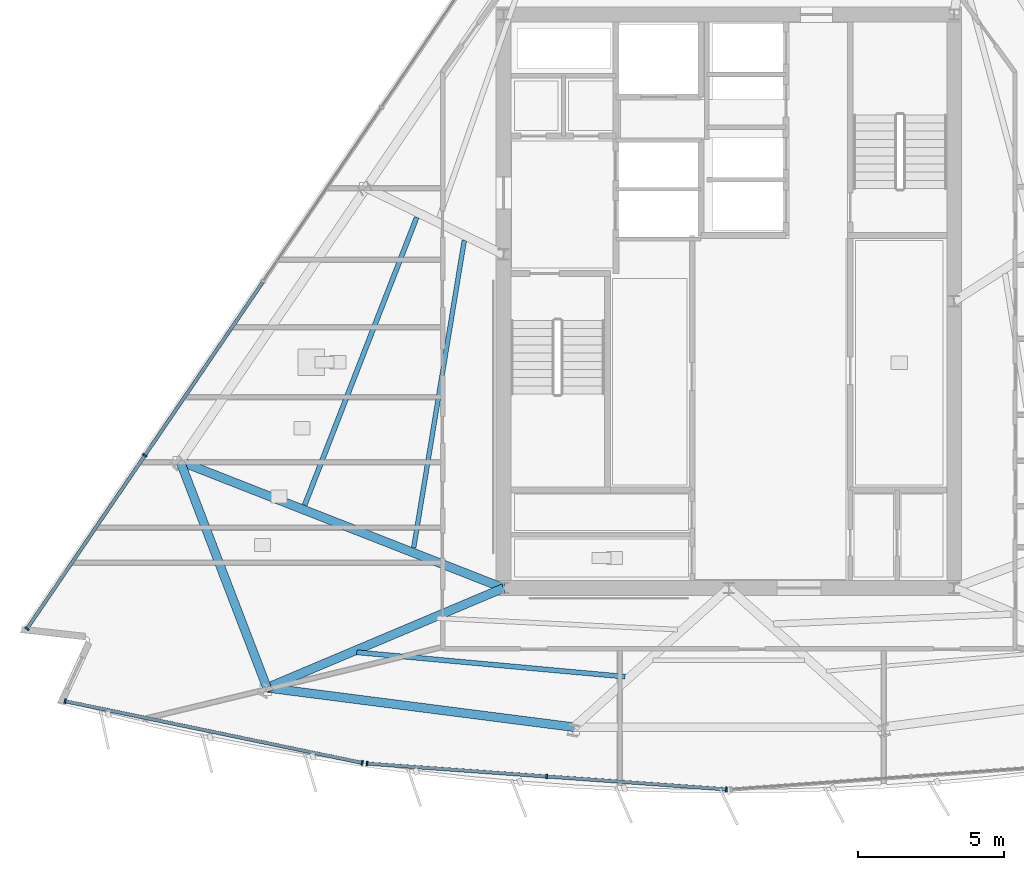
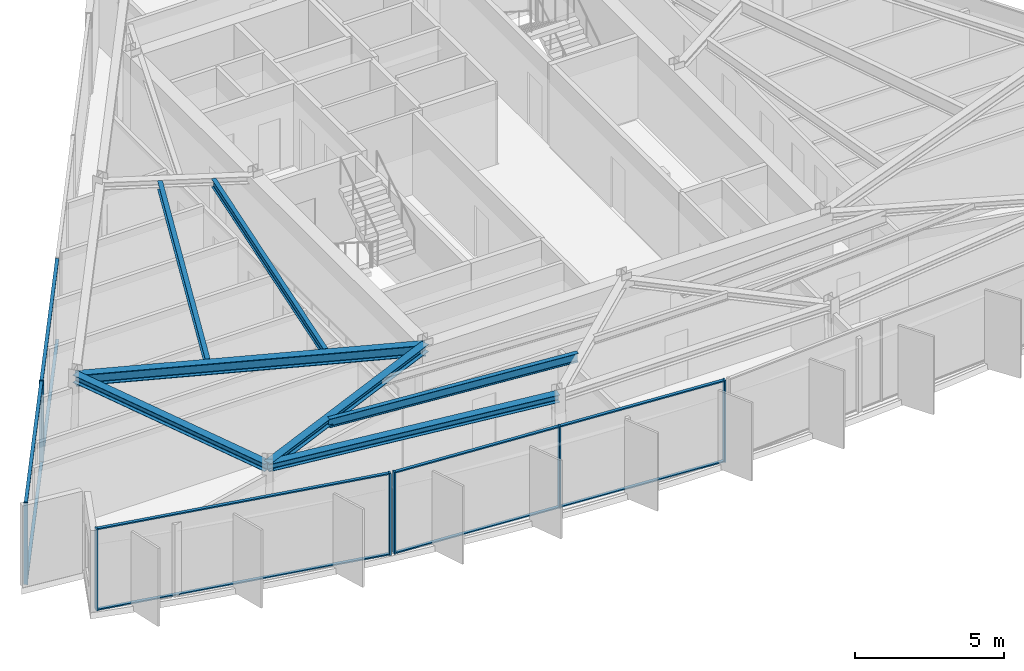
# One storey, part 2 of 13: 17 members, 7 beams, 3 elements without a shape of their own.
"""IFC4 building model written with IfcOpenShell, lengths in metres."""

from ifc_helpers import new_model, si_unit, direction, frame, origin, origin_2d, place, context, subcontext, project, spatial, rectangle, i_section, extrude, material, material_profile, profile_set, type_object, element, aggregate, save


model = new_model("IFC4")

# Units and contexts
model_context = context("Model", 3, precision=1e-05, world=origin(), true_north=direction((0.0, 1.0)))
body_context = subcontext(model_context, "Body", "Model", "MODEL_VIEW")
ifc_project = project(units=[si_unit("LENGTHUNIT", "METRE"), si_unit("AREAUNIT", "SQUARE_METRE"), si_unit("VOLUMEUNIT", "CUBIC_METRE"), si_unit("PLANEANGLEUNIT", "RADIAN"), si_unit("MASSUNIT", "GRAM", prefix="KILO")], contexts=[model_context])

# Site, building, storey
site_placement = place(None, origin())
site = spatial("IfcSite", under=ifc_project, at=site_placement, CompositionType="ELEMENT")
building_placement = place(site_placement, origin())
building = spatial("IfcBuilding", under=site, at=building_placement, Name="Savorim Split Tower", CompositionType="ELEMENT")
storey_placement = place(building_placement, frame((0.0, 0.0, 254.39990234375)))
storey = spatial("IfcBuildingStorey", under=building, at=storey_placement, Name="L67", CompositionType="ELEMENT", Elevation=254.39990234375)

# Beams
ifc_material_1 = material(Name="Steel S355", Category="steel")
ifc_material_profile_1 = material_profile(ifc_material_1, i_section(OverallWidth=0.159912109375, OverallDepth=0.330078125, WebThickness=0.007568359375, FlangeThickness=0.011474609375, FilletRadius=0.01806640625, at=origin_2d()), Name="IPE 330")
ifc_profile_set_1 = profile_set([ifc_material_profile_1], Name="Steel S355")
beam_type_1 = type_object("IfcBeamType", Name="BM-JST-IPE330", PredefinedType="JOIST", material=ifc_profile_set_1)
beam_1_placement = place(storey_placement, frame((-9.03857421875, 2.4814453125, 3.18505859375), z_axis=(-0.162324607602, -0.986737412773, 0.0), x_axis=(0.986737412773, -0.162324607602, 0.0)))
element("IfcBeam", 1, at=beam_1_placement, inside=storey, type_object=beam_type_1, Name="L67 Secondary Floor Joist JS-11", PredefinedType="JOIST", context=body_context, shape_type="SweptSolid", body=[
    extrude(i_section(OverallWidth=0.159912109375, OverallDepth=0.330078125, WebThickness=0.007568359375, FlangeThickness=0.011474609375, FilletRadius=0.01806640625, at=origin_2d()), origin(), (0.0, 0.0, 1.0), 10.651611328125),
])
ifc_material_profile_2 = material_profile(ifc_material_1, i_section(OverallWidth=0.169921875, OverallDepth=0.360107421875, WebThickness=0.008056640625, FlangeThickness=0.0126953125, FilletRadius=0.01806640625, at=origin_2d()), Name="IPE 360")
ifc_profile_set_2 = profile_set([ifc_material_profile_2], Name="Steel S355")
beam_type_2 = type_object("IfcBeamType", Name="BM-JST-IPE360", PredefinedType="JOIST", material=ifc_profile_set_2)
beam_2_placement = place(storey_placement, frame((-12.711669921875, -11.595703125, 3.170166015625), z_axis=(0.995897335781, -0.0904903121, 0.0), x_axis=(0.0904903121, 0.995897335781, 0.0)))
element("IfcBeam", 2, at=beam_2_placement, inside=storey, type_object=beam_type_2, Name="L67 Secondary Floor Joist JS-01", PredefinedType="JOIST", context=body_context, shape_type="SweptSolid", body=[
    extrude(i_section(OverallWidth=0.169921875, OverallDepth=0.360107421875, WebThickness=0.008056640625, FlangeThickness=0.0126953125, FilletRadius=0.01806640625, at=origin_2d()), origin(), (0.0, 0.0, 1.0), 9.20556640625),
])
beam_3_placement = place(storey_placement, frame((-10.664794921875, 3.2666015625, 3.170166015625), z_axis=(-0.362792431019, -0.931869975906, 0.0), x_axis=(0.931869975906, -0.362792431019, 0.0)))
element("IfcBeam", 3, at=beam_3_placement, inside=storey, type_object=beam_type_2, Name="L67 Secondary Floor Joist JS-10", PredefinedType="JOIST", context=body_context, shape_type="SweptSolid", body=[
    extrude(i_section(OverallWidth=0.169921875, OverallDepth=0.360107421875, WebThickness=0.008056640625, FlangeThickness=0.0126953125, FilletRadius=0.01806640625, at=origin_2d()), origin(), (0.0, 0.0, 1.0), 10.5498046875),
])
ifc_material_profile_3 = material_profile(ifc_material_1, i_section(OverallWidth=0.300048828125, OverallDepth=0.300048828125, WebThickness=0.010986328125, FlangeThickness=0.01904296875, FilletRadius=0.027099609375, at=origin_2d()), Name="HEB 300")
ifc_profile_set_3 = profile_set([ifc_material_profile_3], Name="Steel S355")
beam_type_3 = type_object("IfcBeamType", Name="BM-PRI-HEB300", PredefinedType="BEAM", material=ifc_profile_set_3)
beam_4_placement = place(storey_placement, frame((-15.779541015625, -12.80810546875, 3.2001953125), z_axis=(0.921379428234, 0.388664314321, 0.0), x_axis=(-0.388664314321, 0.921379428234, 0.0)))
element("IfcBeam", 4, at=beam_4_placement, inside=storey, type_object=beam_type_3, Name="L67 Primary Floor Girder RG-01", PredefinedType="BEAM", context=body_context, shape_type="SweptSolid", body=[
    extrude(i_section(OverallWidth=0.300048828125, OverallDepth=0.300048828125, WebThickness=0.010986328125, FlangeThickness=0.01904296875, FilletRadius=0.027099609375, at=origin_2d()), origin(), (0.0, 0.0, 1.0), 8.76904296875),
])
ifc_material_profile_4 = material_profile(ifc_material_1, i_section(OverallWidth=0.300048828125, OverallDepth=0.449951171875, WebThickness=0.013916015625, FlangeThickness=0.02587890625, FilletRadius=0.027099609375, at=origin_2d()), Name="HEB 450")
ifc_profile_set_4 = profile_set([ifc_material_profile_4], Name="Steel S355")
beam_type_4 = type_object("IfcBeamType", Name="BM-PRI-HEB450", PredefinedType="BEAM", material=ifc_profile_set_4)
beam_5_placement = place(storey_placement, frame((-18.7490234375, -5.067138671875, 3.125), z_axis=(0.930979093404, -0.365072496424, 0.0), x_axis=(0.365072496424, 0.930979093404, 0.0)))
element("IfcBeam", 5, at=beam_5_placement, inside=storey, type_object=beam_type_4, Name="L67 Primary Floor Girder RG-10", PredefinedType="BEAM", context=body_context, shape_type="SweptSolid", body=[
    extrude(i_section(OverallWidth=0.300048828125, OverallDepth=0.449951171875, WebThickness=0.013916015625, FlangeThickness=0.02587890625, FilletRadius=0.027099609375, at=origin_2d()), origin(), (0.0, 0.0, 1.0), 11.8681640625),
])
ifc_material_profile_5 = material_profile(ifc_material_1, i_section(OverallWidth=0.300048828125, OverallDepth=0.31005859375, WebThickness=0.009033203125, FlangeThickness=0.015380859375, FilletRadius=0.027099609375, at=origin_2d()), Name="HEA 320")
ifc_profile_set_5 = profile_set([ifc_material_profile_5], Name="Steel S355")
beam_type_5 = type_object("IfcBeamType", Name="BM-SPN-HEA320", PredefinedType="SPANDREL", material=ifc_profile_set_5)
beam_6_placement = place(storey_placement, frame((-15.779541015625, -12.80810546875, 3.195068359375), z_axis=(0.991858656006, -0.127343655144, 0.0), x_axis=(0.127343655144, 0.991858656006, 0.0)))
element("IfcBeam", 6, at=beam_6_placement, inside=storey, type_object=beam_type_5, Name="L67 Perimeter Spandrel Beam 1", PredefinedType="SPANDREL", context=body_context, shape_type="SweptSolid", body=[
    extrude(i_section(OverallWidth=0.300048828125, OverallDepth=0.31005859375, WebThickness=0.009033203125, FlangeThickness=0.015380859375, FilletRadius=0.027099609375, at=origin_2d()), origin(), (0.0, 0.0, 1.0), 10.5771484375),
])
beam_7_placement = place(storey_placement, frame((-18.7490234375, -5.067138671875, 3.195068359375), z_axis=(0.358158080652, -0.933660960555, 0.0), x_axis=(0.933660960555, 0.358158080652, 0.0)))
element("IfcBeam", 7, at=beam_7_placement, inside=storey, type_object=beam_type_5, Name="L67 Perimeter Spandrel Beam 10", PredefinedType="SPANDREL", context=body_context, shape_type="SweptSolid", body=[
    extrude(i_section(OverallWidth=0.300048828125, OverallDepth=0.31005859375, WebThickness=0.009033203125, FlangeThickness=0.015380859375, FilletRadius=0.027099609375, at=origin_2d()), origin(), (0.0, 0.0, 1.0), 8.291015625),
])

# Curtain wall, members
ifc_material_2 = material(Name="Dark Ceramic-Fritted Insulated Glass", Category="glass")
curtain_wall_type = type_object("IfcCurtainWallType", Name="CW-TWR-FRIT-B", PredefinedType="NOTDEFINED", material=ifc_material_2)
curtain_wall_1_placement = place(storey_placement, origin())
curtain_wall_1 = element("IfcCurtainWall", 8, at=curtain_wall_1_placement, inside=storey, type_object=curtain_wall_type, Name="L67 Curtain Wall CW-L67-SF1", PredefinedType="NOTDEFINED")
ifc_material_3 = material(Name="Charcoal Anodised Aluminium", Category="aluminium")
ifc_material_profile_6 = material_profile(ifc_material_3, rectangle(XDim=0.159912109375, YDim=0.06005859375, at=origin_2d()), Name="ALU-M 160x60")
ifc_profile_set_6 = profile_set([ifc_material_profile_6], Name="Charcoal Anodised Aluminium")
member_type_1 = type_object("IfcMemberType", Name="CWM-160x60", PredefinedType="MULLION", material=ifc_profile_set_6)
member_1_placement = place(storey_placement, frame((-22.677978515625, -13.26611328125, 0.0), z_axis=(0.0, 0.0, 1.0), x_axis=(0.20320761208, 0.979135673129, 0.0)))
member_1 = element("IfcMember", 9, at=member_1_placement, type_object=member_type_1, Name="CW-03 mullion 1", PredefinedType="MULLION", context=body_context, shape_type="SweptSolid", body=[
    extrude(rectangle(XDim=0.159912109375, YDim=0.06005859375, at=origin_2d()), origin(), (0.0, 0.0, 1.0), 3.35009765625),
])
member_2_placement = place(storey_placement, frame((-12.524169921875, -15.373291015625, 0.0), z_axis=(0.0, 0.0, 1.0), x_axis=(0.20320761208, 0.979135673129, 0.0)))
member_2 = element("IfcMember", 10, at=member_2_placement, type_object=member_type_1, Name="CW-03 mullion 2", PredefinedType="MULLION", context=body_context, shape_type="SweptSolid", body=[
    extrude(rectangle(XDim=0.159912109375, YDim=0.06005859375, at=origin_2d()), origin(), (0.0, 0.0, 1.0), 3.35009765625),
])

curtain_wall_2_placement = place(storey_placement, origin())
curtain_wall_2 = element("IfcCurtainWall", 11, at=curtain_wall_2_placement, inside=storey, type_object=curtain_wall_type, Name="L67 Curtain Wall CW-L67-SF2", PredefinedType="NOTDEFINED")
member_3_placement = place(storey_placement, frame((-12.362060546875, -15.39599609375, 0.0), z_axis=(0.0, 0.0, 1.0), x_axis=(0.071562386711, 0.997436125678, 0.0)))
member_3 = element("IfcMember", 12, at=member_3_placement, type_object=member_type_1, Name="CW-03 mullion 1", PredefinedType="MULLION", context=body_context, shape_type="SweptSolid", body=[
    extrude(rectangle(XDim=0.159912109375, YDim=0.06005859375, at=origin_2d()), origin(), (0.0, 0.0, 1.0), 3.35009765625),
])
member_4_placement = place(storey_placement, frame((-6.2216796875, -15.83642578125, 0.0), z_axis=(0.0, 0.0, 1.0), x_axis=(0.071562386711, 0.997436125678, 0.0)))
member_4 = element("IfcMember", 13, at=member_4_placement, type_object=member_type_1, Name="CW-03 mullion 2", PredefinedType="MULLION", context=body_context, shape_type="SweptSolid", body=[
    extrude(rectangle(XDim=0.159912109375, YDim=0.06005859375, at=origin_2d()), origin(), (0.0, 0.0, 1.0), 3.35009765625),
])
member_5_placement = place(storey_placement, frame((-0.081298828125, -16.277099609375, 0.0), z_axis=(0.0, 0.0, 1.0), x_axis=(0.071562386711, 0.997436125678, 0.0)))
member_5 = element("IfcMember", 14, at=member_5_placement, type_object=member_type_1, Name="CW-03 mullion 3", PredefinedType="MULLION", context=body_context, shape_type="SweptSolid", body=[
    extrude(rectangle(XDim=0.159912109375, YDim=0.06005859375, at=origin_2d()), origin(), (0.0, 0.0, 1.0), 3.35009765625),
])

curtain_wall_3_placement = place(storey_placement, origin())
curtain_wall_3 = element("IfcCurtainWall", 15, at=curtain_wall_3_placement, inside=storey, type_object=curtain_wall_type, Name="L67 Curtain Wall CW-L67-WEST", PredefinedType="NOTDEFINED")
member_6_placement = place(storey_placement, frame((-19.951904296875, -4.8671875, 0.0), z_axis=(0.0, 0.0, 1.0), x_axis=(0.826817472755, -0.562470325215, 0.0)))
member_6 = element("IfcMember", 16, at=member_6_placement, type_object=member_type_1, Name="CW-03 mullion 4", PredefinedType="MULLION", context=body_context, shape_type="SweptSolid", body=[
    extrude(rectangle(XDim=0.159912109375, YDim=0.06005859375, at=origin_2d()), origin(), (0.0, 0.0, 1.0), 3.35009765625),
])
member_7_placement = place(storey_placement, frame((-23.97998046875, -10.78857421875, 0.0), z_axis=(0.0, 0.0, 1.0), x_axis=(0.826817472755, -0.562470325215, 0.0)))
member_7 = element("IfcMember", 17, at=member_7_placement, type_object=member_type_1, Name="CW-03 mullion 5", PredefinedType="MULLION", context=body_context, shape_type="SweptSolid", body=[
    extrude(rectangle(XDim=0.159912109375, YDim=0.06005859375, at=origin_2d()), origin(), (0.0, 0.0, 1.0), 3.35009765625),
])

# Member
ifc_material_profile_7 = material_profile(ifc_material_3, rectangle(XDim=0.1201171875, YDim=0.050048828125, at=origin_2d()), Name="ALU-T 120x50")
ifc_profile_set_7 = profile_set([ifc_material_profile_7], Name="Charcoal Anodised Aluminium")
member_type_2 = type_object("IfcMemberType", Name="CWT-120x50", PredefinedType="USERDEFINED", material=ifc_profile_set_7)
member_8_placement = place(storey_placement, frame((-22.648681640625, -13.272216796875, 0.025146484375), z_axis=(0.97913890437, -0.203192042041, 0.0), x_axis=(0.203192042041, 0.97913890437, 0.0)))
member_8 = element("IfcMember", 18, at=member_8_placement, type_object=member_type_2, Name="CW-03 transom 1.1", ObjectType="TRANSOM", PredefinedType="USERDEFINED", context=body_context, shape_type="SweptSolid", body=[
    extrude(rectangle(XDim=0.1201171875, YDim=0.050048828125, at=origin_2d()), origin(), (0.0, 0.0, 1.0), 10.310302734375),
])

member_9_placement = place(storey_placement, frame((-22.648681640625, -13.272216796875, 3.3251953125), z_axis=(0.97913890437, -0.203192042041, 0.0), x_axis=(0.203192042041, 0.97913890437, 0.0)))
member_9 = element("IfcMember", 19, at=member_9_placement, type_object=member_type_2, Name="CW-03 transom 1.2", ObjectType="TRANSOM", PredefinedType="USERDEFINED", context=body_context, shape_type="SweptSolid", body=[
    extrude(rectangle(XDim=0.1201171875, YDim=0.050048828125, at=origin_2d()), origin(), (0.0, 0.0, 1.0), 10.310302734375),
])

aggregate(curtain_wall_1, [member_1, member_2, member_8, member_9])

member_10_placement = place(storey_placement, frame((-12.332275390625, -15.398193359375, 0.025146484375), z_axis=(0.997436085583, -0.071562945555, 0.0), x_axis=(0.071562945555, 0.997436085583, 0.0)))
member_10 = element("IfcMember", 20, at=member_10_placement, type_object=member_type_2, Name="CW-03 transom 1.1", ObjectType="TRANSOM", PredefinedType="USERDEFINED", context=body_context, shape_type="SweptSolid", body=[
    extrude(rectangle(XDim=0.1201171875, YDim=0.050048828125, at=origin_2d()), origin(), (0.0, 0.0, 1.0), 6.096435546875),
])

member_11_placement = place(storey_placement, frame((-12.332275390625, -15.398193359375, 3.3251953125), z_axis=(0.997436085583, -0.071562945555, 0.0), x_axis=(0.071562945555, 0.997436085583, 0.0)))
member_11 = element("IfcMember", 21, at=member_11_placement, type_object=member_type_2, Name="CW-03 transom 1.2", ObjectType="TRANSOM", PredefinedType="USERDEFINED", context=body_context, shape_type="SweptSolid", body=[
    extrude(rectangle(XDim=0.1201171875, YDim=0.050048828125, at=origin_2d()), origin(), (0.0, 0.0, 1.0), 6.096435546875),
])

member_12_placement = place(storey_placement, frame((-6.191650390625, -15.838623046875, 0.025146484375), z_axis=(0.997435880483, -0.071565804161, 0.0), x_axis=(0.071565804161, 0.997435880483, 0.0)))
member_12 = element("IfcMember", 22, at=member_12_placement, type_object=member_type_2, Name="CW-03 transom 2.1", ObjectType="TRANSOM", PredefinedType="USERDEFINED", context=body_context, shape_type="SweptSolid", body=[
    extrude(rectangle(XDim=0.1201171875, YDim=0.050048828125, at=origin_2d()), origin(), (0.0, 0.0, 1.0), 6.09619140625),
])

member_13_placement = place(storey_placement, frame((-6.191650390625, -15.838623046875, 3.3251953125), z_axis=(0.997435880483, -0.071565804161, 0.0), x_axis=(0.071565804161, 0.997435880483, 0.0)))
member_13 = element("IfcMember", 23, at=member_13_placement, type_object=member_type_2, Name="CW-03 transom 2.2", ObjectType="TRANSOM", PredefinedType="USERDEFINED", context=body_context, shape_type="SweptSolid", body=[
    extrude(rectangle(XDim=0.1201171875, YDim=0.050048828125, at=origin_2d()), origin(), (0.0, 0.0, 1.0), 6.09619140625),
])

aggregate(curtain_wall_2, [member_3, member_4, member_5, member_10, member_11, member_12, member_13])

member_14_placement = place(storey_placement, frame((-15.923828125, 1.053955078125, 0.025146484375), z_axis=(-0.562465450543, -0.826820788893, 0.0), x_axis=(0.826820788893, -0.562465450543, 0.0)))
member_14 = element("IfcMember", 24, at=member_14_placement, type_object=member_type_2, Name="CW-03 transom 3.1", ObjectType="TRANSOM", PredefinedType="USERDEFINED", context=body_context, shape_type="SweptSolid", body=[
    extrude(rectangle(XDim=0.1201171875, YDim=0.050048828125, at=origin_2d()), origin(), (0.0, 0.0, 1.0), 7.131591796875),
])

member_15_placement = place(storey_placement, frame((-15.923828125, 1.053955078125, 3.3251953125), z_axis=(-0.562465450543, -0.826820788893, 0.0), x_axis=(0.826820788893, -0.562465450543, 0.0)))
member_15 = element("IfcMember", 25, at=member_15_placement, type_object=member_type_2, Name="CW-03 transom 3.2", ObjectType="TRANSOM", PredefinedType="USERDEFINED", context=body_context, shape_type="SweptSolid", body=[
    extrude(rectangle(XDim=0.1201171875, YDim=0.050048828125, at=origin_2d()), origin(), (0.0, 0.0, 1.0), 7.131591796875),
])

member_16_placement = place(storey_placement, frame((-19.96875, -4.89208984375, 0.025146484375), z_axis=(-0.562474570512, -0.826814584733, 0.0), x_axis=(0.826814584733, -0.562474570512, 0.0)))
member_16 = element("IfcMember", 26, at=member_16_placement, type_object=member_type_2, Name="CW-03 transom 4.1", ObjectType="TRANSOM", PredefinedType="USERDEFINED", context=body_context, shape_type="SweptSolid", body=[
    extrude(rectangle(XDim=0.1201171875, YDim=0.050048828125, at=origin_2d()), origin(), (0.0, 0.0, 1.0), 7.1015625),
])

member_17_placement = place(storey_placement, frame((-19.96875, -4.89208984375, 3.3251953125), z_axis=(-0.562474570512, -0.826814584733, 0.0), x_axis=(0.826814584733, -0.562474570512, 0.0)))
member_17 = element("IfcMember", 27, at=member_17_placement, type_object=member_type_2, Name="CW-03 transom 4.2", ObjectType="TRANSOM", PredefinedType="USERDEFINED", context=body_context, shape_type="SweptSolid", body=[
    extrude(rectangle(XDim=0.1201171875, YDim=0.050048828125, at=origin_2d()), origin(), (0.0, 0.0, 1.0), 7.1015625),
])

aggregate(curtain_wall_3, [member_6, member_7, member_14, member_15, member_16, member_17])

save(model, "model.ifc")
